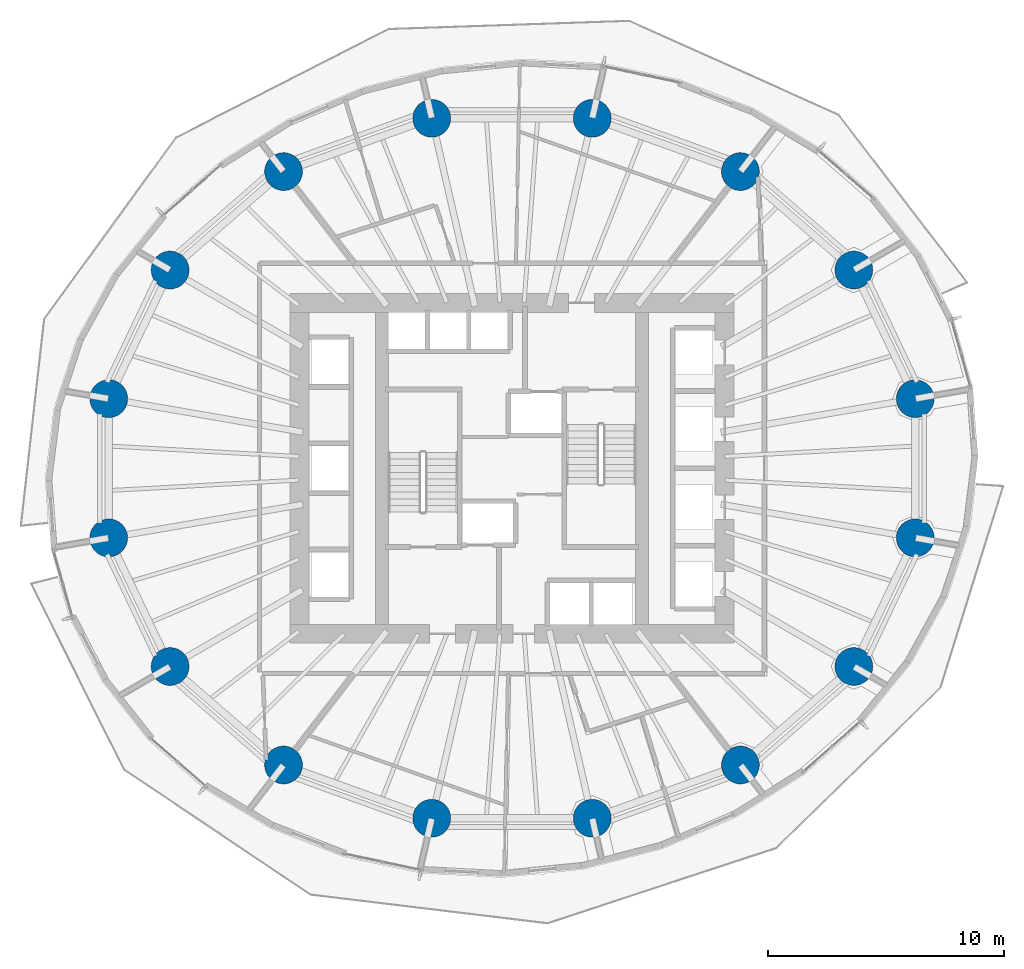
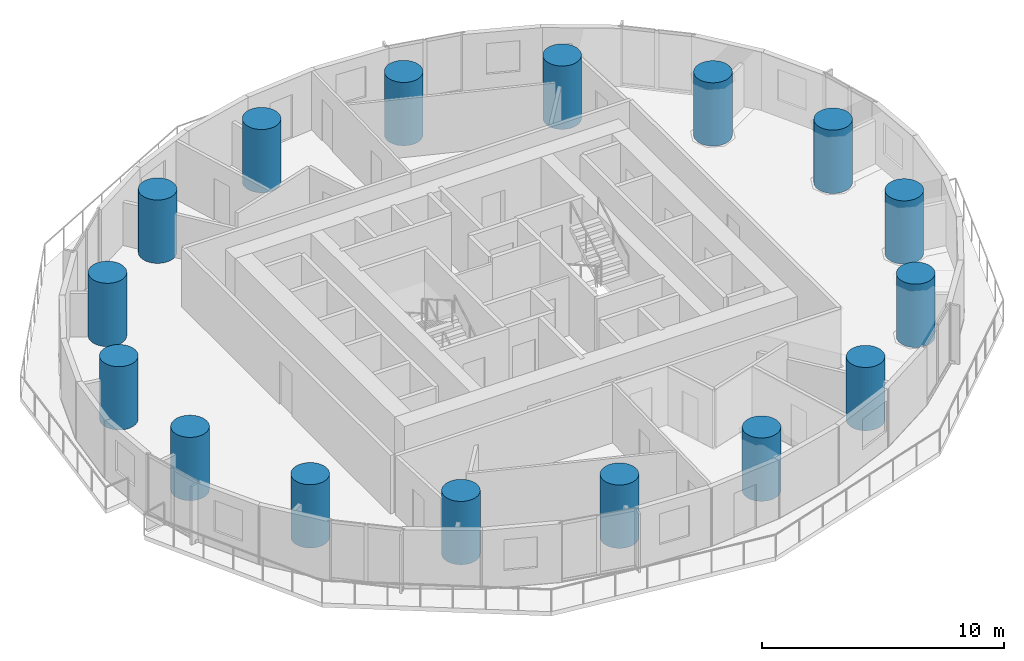
# One storey, part 1 of 13: 16 columns.
"""IFC4 building model written with IfcOpenShell, lengths in metres."""

from ifc_helpers import new_model, si_unit, direction, frame, origin, origin_2d, place, context, subcontext, project, spatial, circle, extrude, material, material_profile, profile_set, type_object, element, save


model = new_model("IFC4")

# Units and contexts
model_context = context("Model", 3, precision=1e-05, world=origin(), true_north=direction((0.0, 1.0)))
body_context = subcontext(model_context, "Body", "Model", "MODEL_VIEW")
ifc_project = project(units=[si_unit("LENGTHUNIT", "METRE"), si_unit("AREAUNIT", "SQUARE_METRE"), si_unit("VOLUMEUNIT", "CUBIC_METRE"), si_unit("PLANEANGLEUNIT", "RADIAN"), si_unit("MASSUNIT", "GRAM", prefix="KILO")], contexts=[model_context])

# Site, building, storey
site_placement = place(None, origin())
site = spatial("IfcSite", under=ifc_project, at=site_placement, CompositionType="ELEMENT")
building_placement = place(site_placement, origin())
building = spatial("IfcBuilding", under=site, at=building_placement, Name="Veldorim Arch Residences", CompositionType="ELEMENT")
storey_placement = place(building_placement, frame((0.0, 0.0, 44.0)))
storey = spatial("IfcBuildingStorey", under=building, at=storey_placement, Name="L12", CompositionType="ELEMENT", Elevation=44.0)

# Columns
ifc_material = material(Name="Concrete C60/75", Category="concrete")
ifc_material_profile = material_profile(ifc_material, circle(Radius=0.800048828125, at=origin_2d()), Name="RC_CIRC_1600")
ifc_profile_set = profile_set([ifc_material_profile], Name="Concrete C60/75")
column_type = type_object("IfcColumnType", Name="Structural Column RC_CIRC_1600", PredefinedType="COLUMN", material=ifc_profile_set)
for number, where, z_axis, x_axis, name in (
    (1, (49.065673828125, 26.94580078125, 0.0), (0.0, 0.0, 1.0), (1.0, 0.0, 0.0), "L12 TC-Z1-01 perimeter column"),
    (2, (46.467529296875, 32.38916015625, 0.0), (0.0, 0.0, 1.0), (1.0, 0.0, 0.0), "L12 TC-Z1-02 perimeter column"),
    (3, (41.6669921875, 36.55517578125, 0.0), (0.0, 0.0, 1.0), (1.0, 0.0, 0.0), "L12 TC-Z1-03 perimeter column"),
    (4, (35.39453125, 38.809814453125, 0.0), (0.0, 0.0, 1.0), (1.0, 0.0, 0.0), "L12 TC-Z1-04 perimeter column"),
    (5, (28.60546875, 38.809814453125, 0.0), (0.0, 0.0, 1.0), (1.0, 0.0, 0.0), "L12 TC-Z1-05 perimeter column"),
    (6, (22.3330078125, 36.55517578125, 0.0), (0.0, 0.0, 1.0), (1.0, 0.0, 0.0), "L12 TC-Z1-06 perimeter column"),
    (7, (17.532470703125, 32.38916015625, 0.0), (0.0, 0.0, 1.0), (1.0, 0.0, 0.0), "L12 TC-Z1-07 perimeter column"),
    (8, (14.934326171875, 26.94580078125, 0.0), (0.0, 0.0, 1.0), (1.0, 0.0, 0.0), "L12 TC-Z1-08 perimeter column"),
    (9, (14.934326171875, 21.05419921875, 0.0), (0.0, 0.0, 1.0), (1.0, 0.0, 0.0), "L12 TC-Z1-09 perimeter column"),
    (10, (17.532470703125, 15.61083984375, 0.0), (0.0, 0.0, 1.0), (1.0, 0.0, 0.0), "L12 TC-Z1-10 perimeter column"),
    (11, (22.3330078125, 11.44482421875, 0.0), (0.0, 0.0, 1.0), (1.0, 0.0, 0.0), "L12 TC-Z1-11 perimeter column"),
    (12, (28.60546875, 9.190185546875, 0.0), (0.0, 0.0, 1.0), (1.0, 0.0, 0.0), "L12 TC-Z1-12 perimeter column"),
    (13, (35.39453125, 9.190185546875, 0.0), (0.0, 0.0, 1.0), (1.0, 0.0, 0.0), "L12 TC-Z1-13 perimeter column"),
    (14, (41.6669921875, 11.44482421875, 0.0), (0.0, 0.0, 1.0), (1.0, 0.0, 0.0), "L12 TC-Z1-14 perimeter column"),
    (15, (46.467529296875, 15.61083984375, 0.0), (0.0, 0.0, 1.0), (1.0, 0.0, 0.0), "L12 TC-Z1-15 perimeter column"),
    (16, (49.065673828125, 21.05419921875, 0.0), (0.0, 0.0, 1.0), (1.0, 0.0, 0.0), "L12 TC-Z1-16 perimeter column"),
):
    element("IfcColumn", number, at=place(storey_placement, frame(where, z_axis=z_axis, x_axis=x_axis)), inside=storey, type_object=column_type, Name=name, PredefinedType="COLUMN", context=body_context, shape_type="SweptSolid", body=[
        extrude(circle(Radius=0.800048828125, at=origin_2d()), origin(), (0.0, 0.0, 1.0), 3.199951171875),
    ])

save(model, "model.ifc")
